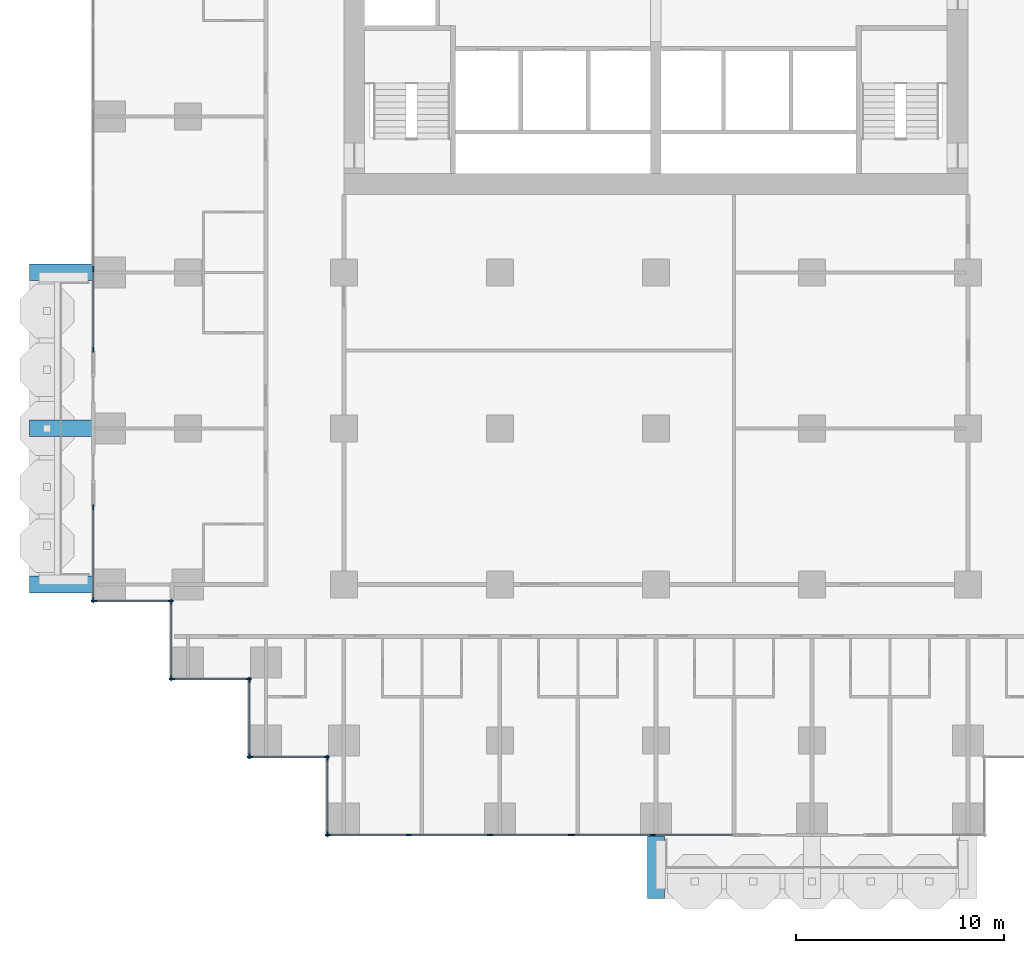
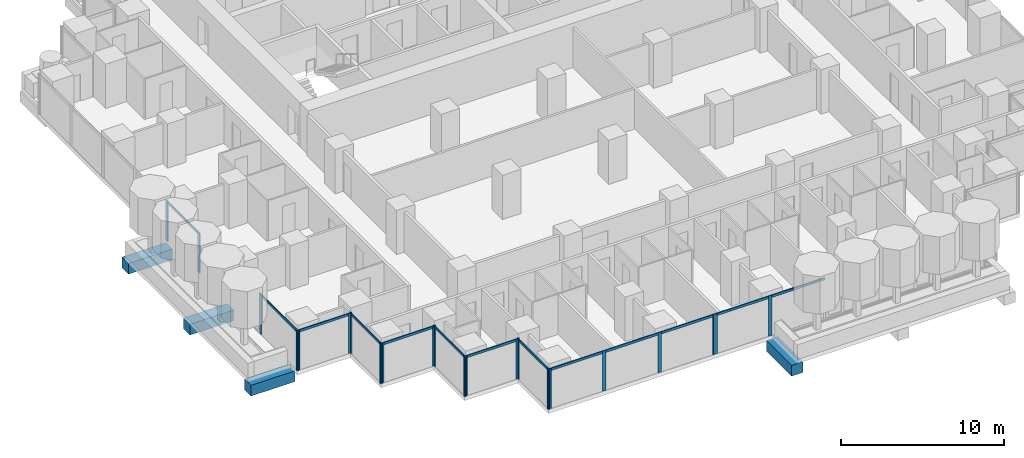
# One storey, part 2 of 19: 35 members, 4 beams, 10 elements without a shape of their own.
"""IFC4 building model written with IfcOpenShell, lengths in metres."""

from ifc_helpers import new_model, si_unit, direction, frame, origin, origin_2d, place, context, subcontext, project, spatial, rectangle, extrude, material, material_profile, profile_set, type_object, element, aggregate, save


model = new_model("IFC4")

# Units and contexts
model_context = context("Model", 3, precision=1e-05, world=origin(), true_north=direction((0.0, 1.0)))
body_context = subcontext(model_context, "Body", "Model", "MODEL_VIEW")
ifc_project = project(units=[si_unit("LENGTHUNIT", "METRE"), si_unit("AREAUNIT", "SQUARE_METRE"), si_unit("VOLUMEUNIT", "CUBIC_METRE"), si_unit("PLANEANGLEUNIT", "RADIAN"), si_unit("MASSUNIT", "GRAM", prefix="KILO")], contexts=[model_context])

# Site, building, storey
site_placement = place(None, origin())
site = spatial("IfcSite", under=ifc_project, at=site_placement, CompositionType="ELEMENT")
building_placement = place(site_placement, origin())
building = spatial("IfcBuilding", under=site, at=building_placement, Name="Pilkhan Gate Tower", CompositionType="ELEMENT")
storey_placement = place(building_placement, frame((0.0, 0.0, 72.5)))
storey = spatial("IfcBuildingStorey", under=building, at=storey_placement, Name="L16", CompositionType="ELEMENT", Elevation=72.5)

# Beams
ifc_material_1 = material(Name="Concrete C50/60", Category="concrete")
ifc_material_profile_1 = material_profile(ifc_material_1, rectangle(XDim=0.800048828125, YDim=0.800048828125, at=origin_2d()), Name="RC 800x800")
ifc_profile_set_1 = profile_set([ifc_material_profile_1], Name="Concrete C50/60")
beam_type = type_object("IfcBeamType", Name="Cantilever beam CB2 RC 800x800 C50/60", PredefinedType="BEAM", material=ifc_profile_set_1)
for number, where, z_axis, x_axis, name in (
    (1, (75.0, 40.5, -0.699951171875), (0.0, -1.0, 0.0), (1.0, 0.0, 0.0), "Balcony beam S.1 L16"),
    (2, (48.0, 52.5, -0.699951171875), (-1.0, 0.0, 0.0), (0.0, -1.0, 0.0), "Balcony beam W.1 L16"),
    (3, (48.0, 60.0, -0.699951171875), (-1.0, 0.0, 0.0), (0.0, -1.0, 0.0), "Balcony beam W.2 L16"),
    (4, (48.0, 67.5, -0.699951171875), (-1.0, 0.0, 0.0), (0.0, -1.0, 0.0), "Balcony beam W.3 L16"),
):
    element("IfcBeam", number, at=place(storey_placement, frame(where, z_axis=z_axis, x_axis=x_axis)), inside=storey, type_object=beam_type, Name=name, PredefinedType="BEAM", context=body_context, shape_type="SweptSolid", body=[
        extrude(rectangle(XDim=0.800048828125, YDim=0.800048828125, at=origin_2d()), origin(), (0.0, 0.0, 1.0), 3.10009765625),
    ])

# Curtain wall, members
ifc_material_2 = material(Name="Pale anodised aluminium, clear low-iron double glazing", Category="aluminium")
curtain_wall_type = type_object("IfcCurtainWallType", Name="Hotel unitised curtain wall CW-H", PredefinedType="USERDEFINED", material=ifc_material_2)
curtain_wall_1_placement = place(storey_placement, origin())
curtain_wall_1 = element("IfcCurtainWall", 5, at=curtain_wall_1_placement, inside=storey, type_object=curtain_wall_type, Name="Hotel unitised curtain wall CW-H L16 W", ObjectType="UNITISED CURTAIN WALL", PredefinedType="USERDEFINED")
ifc_material_3 = material(Name="Pale anodised aluminium", Category="aluminium")
ifc_material_profile_2 = material_profile(ifc_material_3, rectangle(XDim=0.06494140625, YDim=0.25, at=origin_2d()), Name="Mullion 250x65")
ifc_profile_set_2 = profile_set([ifc_material_profile_2], Name="Pale anodised aluminium")
member_type_1 = type_object("IfcMemberType", Name="Mullion CW-H 250x65", PredefinedType="MULLION", material=ifc_profile_set_2)
member_1_placement = place(storey_placement, frame((47.955078125, 51.737548828125, 0.0), z_axis=(0.0, 0.0, 1.0), x_axis=(-1.0, 0.0, 0.0)))
member_1 = element("IfcMember", 6, at=member_1_placement, type_object=member_type_1, Name="CW-H mullion 1", PredefinedType="MULLION", context=body_context, shape_type="SweptSolid", body=[
    extrude(rectangle(XDim=0.06494140625, YDim=0.25, at=origin_2d()), origin(), (0.0, 0.0, 1.0), 3.0),
])
member_2_placement = place(storey_placement, frame((47.955078125, 56.217529296875, 0.0), z_axis=(0.0, 0.0, 1.0), x_axis=(-1.0, 0.0, 0.0)))
member_2 = element("IfcMember", 7, at=member_2_placement, type_object=member_type_1, Name="CW-H mullion 2", PredefinedType="MULLION", context=body_context, shape_type="SweptSolid", body=[
    extrude(rectangle(XDim=0.06494140625, YDim=0.25, at=origin_2d()), origin(), (0.0, 0.0, 1.0), 3.0),
])

curtain_wall_2_placement = place(storey_placement, origin())
curtain_wall_2 = element("IfcCurtainWall", 8, at=curtain_wall_2_placement, inside=storey, type_object=curtain_wall_type, Name="Hotel unitised curtain wall CW-H L16 W", ObjectType="UNITISED CURTAIN WALL", PredefinedType="USERDEFINED")
member_3_placement = place(storey_placement, frame((47.955078125, 63.782470703125, 0.0), z_axis=(0.0, 0.0, 1.0), x_axis=(-1.0, 0.0, 0.0)))
member_3 = element("IfcMember", 9, at=member_3_placement, type_object=member_type_1, Name="CW-H mullion 1", PredefinedType="MULLION", context=body_context, shape_type="SweptSolid", body=[
    extrude(rectangle(XDim=0.06494140625, YDim=0.25, at=origin_2d()), origin(), (0.0, 0.0, 1.0), 3.0),
])
member_4_placement = place(storey_placement, frame((47.955078125, 67.658935546875, 0.0), z_axis=(0.0, 0.0, 1.0), x_axis=(-1.0, 0.0, 0.0)))
member_4 = element("IfcMember", 10, at=member_4_placement, type_object=member_type_1, Name="CW-H mullion 2", PredefinedType="MULLION", context=body_context, shape_type="SweptSolid", body=[
    extrude(rectangle(XDim=0.06494140625, YDim=0.25, at=origin_2d()), origin(), (0.0, 0.0, 1.0), 3.0),
])

curtain_wall_3_placement = place(storey_placement, origin())
curtain_wall_3 = element("IfcCurtainWall", 11, at=curtain_wall_3_placement, inside=storey, type_object=curtain_wall_type, Name="Hotel unitised curtain wall CW-H L16 S", ObjectType="UNITISED CURTAIN WALL", PredefinedType="USERDEFINED")
member_5_placement = place(storey_placement, frame((47.987548828125, 51.705078125, 0.0), z_axis=(0.0, 0.0, 1.0), x_axis=(0.0, 1.0, 0.0)))
member_5 = element("IfcMember", 12, at=member_5_placement, type_object=member_type_1, Name="CW-H mullion 1", PredefinedType="MULLION", context=body_context, shape_type="SweptSolid", body=[
    extrude(rectangle(XDim=0.06494140625, YDim=0.25, at=origin_2d()), origin(), (0.0, 0.0, 1.0), 3.0),
])
member_6_placement = place(storey_placement, frame((51.672607421875, 51.705078125, 0.0), z_axis=(0.0, 0.0, 1.0), x_axis=(0.0, 1.0, 0.0)))
member_6 = element("IfcMember", 13, at=member_6_placement, type_object=member_type_1, Name="CW-H mullion 2", PredefinedType="MULLION", context=body_context, shape_type="SweptSolid", body=[
    extrude(rectangle(XDim=0.06494140625, YDim=0.25, at=origin_2d()), origin(), (0.0, 0.0, 1.0), 3.0),
])

curtain_wall_4_placement = place(storey_placement, origin())
curtain_wall_4 = element("IfcCurtainWall", 14, at=curtain_wall_4_placement, inside=storey, type_object=curtain_wall_type, Name="Hotel unitised curtain wall CW-H L16 W", ObjectType="UNITISED CURTAIN WALL", PredefinedType="USERDEFINED")
member_7_placement = place(storey_placement, frame((51.705078125, 47.987548828125, 0.0), z_axis=(0.0, 0.0, 1.0), x_axis=(-1.0, 0.0, 0.0)))
member_7 = element("IfcMember", 15, at=member_7_placement, type_object=member_type_1, Name="CW-H mullion 1", PredefinedType="MULLION", context=body_context, shape_type="SweptSolid", body=[
    extrude(rectangle(XDim=0.06494140625, YDim=0.25, at=origin_2d()), origin(), (0.0, 0.0, 1.0), 3.0),
])
member_8_placement = place(storey_placement, frame((51.705078125, 51.672607421875, 0.0), z_axis=(0.0, 0.0, 1.0), x_axis=(-1.0, 0.0, 0.0)))
member_8 = element("IfcMember", 16, at=member_8_placement, type_object=member_type_1, Name="CW-H mullion 2", PredefinedType="MULLION", context=body_context, shape_type="SweptSolid", body=[
    extrude(rectangle(XDim=0.06494140625, YDim=0.25, at=origin_2d()), origin(), (0.0, 0.0, 1.0), 3.0),
])

curtain_wall_5_placement = place(storey_placement, origin())
curtain_wall_5 = element("IfcCurtainWall", 17, at=curtain_wall_5_placement, inside=storey, type_object=curtain_wall_type, Name="Hotel unitised curtain wall CW-H L16 S", ObjectType="UNITISED CURTAIN WALL", PredefinedType="USERDEFINED")
member_9_placement = place(storey_placement, frame((51.737548828125, 47.955078125, 0.0), z_axis=(0.0, 0.0, 1.0), x_axis=(0.0, 1.0, 0.0)))
member_9 = element("IfcMember", 18, at=member_9_placement, type_object=member_type_1, Name="CW-H mullion 1", PredefinedType="MULLION", context=body_context, shape_type="SweptSolid", body=[
    extrude(rectangle(XDim=0.06494140625, YDim=0.25, at=origin_2d()), origin(), (0.0, 0.0, 1.0), 3.0),
])
member_10_placement = place(storey_placement, frame((55.422607421875, 47.955078125, 0.0), z_axis=(0.0, 0.0, 1.0), x_axis=(0.0, 1.0, 0.0)))
member_10 = element("IfcMember", 19, at=member_10_placement, type_object=member_type_1, Name="CW-H mullion 2", PredefinedType="MULLION", context=body_context, shape_type="SweptSolid", body=[
    extrude(rectangle(XDim=0.06494140625, YDim=0.25, at=origin_2d()), origin(), (0.0, 0.0, 1.0), 3.0),
])

curtain_wall_6_placement = place(storey_placement, origin())
curtain_wall_6 = element("IfcCurtainWall", 20, at=curtain_wall_6_placement, inside=storey, type_object=curtain_wall_type, Name="Hotel unitised curtain wall CW-H L16 W", ObjectType="UNITISED CURTAIN WALL", PredefinedType="USERDEFINED")
member_11_placement = place(storey_placement, frame((55.455078125, 44.237548828125, 0.0), z_axis=(0.0, 0.0, 1.0), x_axis=(-1.0, 0.0, 0.0)))
member_11 = element("IfcMember", 21, at=member_11_placement, type_object=member_type_1, Name="CW-H mullion 1", PredefinedType="MULLION", context=body_context, shape_type="SweptSolid", body=[
    extrude(rectangle(XDim=0.06494140625, YDim=0.25, at=origin_2d()), origin(), (0.0, 0.0, 1.0), 3.0),
])
member_12_placement = place(storey_placement, frame((55.455078125, 47.922607421875, 0.0), z_axis=(0.0, 0.0, 1.0), x_axis=(-1.0, 0.0, 0.0)))
member_12 = element("IfcMember", 22, at=member_12_placement, type_object=member_type_1, Name="CW-H mullion 2", PredefinedType="MULLION", context=body_context, shape_type="SweptSolid", body=[
    extrude(rectangle(XDim=0.06494140625, YDim=0.25, at=origin_2d()), origin(), (0.0, 0.0, 1.0), 3.0),
])

curtain_wall_7_placement = place(storey_placement, origin())
curtain_wall_7 = element("IfcCurtainWall", 23, at=curtain_wall_7_placement, inside=storey, type_object=curtain_wall_type, Name="Hotel unitised curtain wall CW-H L16 S", ObjectType="UNITISED CURTAIN WALL", PredefinedType="USERDEFINED")
member_13_placement = place(storey_placement, frame((55.487548828125, 44.205078125, 0.0), z_axis=(0.0, 0.0, 1.0), x_axis=(0.0, 1.0, 0.0)))
member_13 = element("IfcMember", 24, at=member_13_placement, type_object=member_type_1, Name="CW-H mullion 1", PredefinedType="MULLION", context=body_context, shape_type="SweptSolid", body=[
    extrude(rectangle(XDim=0.06494140625, YDim=0.25, at=origin_2d()), origin(), (0.0, 0.0, 1.0), 3.0),
])
member_14_placement = place(storey_placement, frame((59.172607421875, 44.205078125, 0.0), z_axis=(0.0, 0.0, 1.0), x_axis=(0.0, 1.0, 0.0)))
member_14 = element("IfcMember", 25, at=member_14_placement, type_object=member_type_1, Name="CW-H mullion 2", PredefinedType="MULLION", context=body_context, shape_type="SweptSolid", body=[
    extrude(rectangle(XDim=0.06494140625, YDim=0.25, at=origin_2d()), origin(), (0.0, 0.0, 1.0), 3.0),
])

curtain_wall_8_placement = place(storey_placement, origin())
curtain_wall_8 = element("IfcCurtainWall", 26, at=curtain_wall_8_placement, inside=storey, type_object=curtain_wall_type, Name="Hotel unitised curtain wall CW-H L16 W", ObjectType="UNITISED CURTAIN WALL", PredefinedType="USERDEFINED")
member_15_placement = place(storey_placement, frame((59.205078125, 40.487548828125, 0.0), z_axis=(0.0, 0.0, 1.0), x_axis=(-1.0, 0.0, 0.0)))
member_15 = element("IfcMember", 27, at=member_15_placement, type_object=member_type_1, Name="CW-H mullion 1", PredefinedType="MULLION", context=body_context, shape_type="SweptSolid", body=[
    extrude(rectangle(XDim=0.06494140625, YDim=0.25, at=origin_2d()), origin(), (0.0, 0.0, 1.0), 3.0),
])
member_16_placement = place(storey_placement, frame((59.205078125, 44.172607421875, 0.0), z_axis=(0.0, 0.0, 1.0), x_axis=(-1.0, 0.0, 0.0)))
member_16 = element("IfcMember", 28, at=member_16_placement, type_object=member_type_1, Name="CW-H mullion 2", PredefinedType="MULLION", context=body_context, shape_type="SweptSolid", body=[
    extrude(rectangle(XDim=0.06494140625, YDim=0.25, at=origin_2d()), origin(), (0.0, 0.0, 1.0), 3.0),
])

curtain_wall_9_placement = place(storey_placement, origin())
curtain_wall_9 = element("IfcCurtainWall", 29, at=curtain_wall_9_placement, inside=storey, type_object=curtain_wall_type, Name="Hotel unitised curtain wall CW-H L16 S", ObjectType="UNITISED CURTAIN WALL", PredefinedType="USERDEFINED")
member_17_placement = place(storey_placement, frame((59.237548828125, 40.455078125, 0.0), z_axis=(0.0, 0.0, 1.0), x_axis=(0.0, 1.0, 0.0)))
member_17 = element("IfcMember", 30, at=member_17_placement, type_object=member_type_1, Name="CW-H mullion 1", PredefinedType="MULLION", context=body_context, shape_type="SweptSolid", body=[
    extrude(rectangle(XDim=0.06494140625, YDim=0.25, at=origin_2d()), origin(), (0.0, 0.0, 1.0), 3.0),
])
member_18_placement = place(storey_placement, frame((63.114013671875, 40.455078125, 0.0), z_axis=(0.0, 0.0, 1.0), x_axis=(0.0, 1.0, 0.0)))
member_18 = element("IfcMember", 31, at=member_18_placement, type_object=member_type_1, Name="CW-H mullion 2", PredefinedType="MULLION", context=body_context, shape_type="SweptSolid", body=[
    extrude(rectangle(XDim=0.06494140625, YDim=0.25, at=origin_2d()), origin(), (0.0, 0.0, 1.0), 3.0),
])
member_19_placement = place(storey_placement, frame((67.02294921875, 40.455078125, 0.0), z_axis=(0.0, 0.0, 1.0), x_axis=(0.0, 1.0, 0.0)))
member_19 = element("IfcMember", 32, at=member_19_placement, type_object=member_type_1, Name="CW-H mullion 3", PredefinedType="MULLION", context=body_context, shape_type="SweptSolid", body=[
    extrude(rectangle(XDim=0.06494140625, YDim=0.25, at=origin_2d()), origin(), (0.0, 0.0, 1.0), 3.0),
])
member_20_placement = place(storey_placement, frame((70.8994140625, 40.455078125, 0.0), z_axis=(0.0, 0.0, 1.0), x_axis=(0.0, 1.0, 0.0)))
member_20 = element("IfcMember", 33, at=member_20_placement, type_object=member_type_1, Name="CW-H mullion 4", PredefinedType="MULLION", context=body_context, shape_type="SweptSolid", body=[
    extrude(rectangle(XDim=0.06494140625, YDim=0.25, at=origin_2d()), origin(), (0.0, 0.0, 1.0), 3.0),
])

curtain_wall_10_placement = place(storey_placement, origin())
curtain_wall_10 = element("IfcCurtainWall", 34, at=curtain_wall_10_placement, inside=storey, type_object=curtain_wall_type, Name="Hotel unitised curtain wall CW-H L16 S", ObjectType="UNITISED CURTAIN WALL", PredefinedType="USERDEFINED")
member_21_placement = place(storey_placement, frame((70.964599609375, 40.455078125, 0.0), z_axis=(0.0, 0.0, 1.0), x_axis=(0.0, 1.0, 0.0)))
member_21 = element("IfcMember", 35, at=member_21_placement, type_object=member_type_1, Name="CW-H mullion 1", PredefinedType="MULLION", context=body_context, shape_type="SweptSolid", body=[
    extrude(rectangle(XDim=0.06494140625, YDim=0.25, at=origin_2d()), origin(), (0.0, 0.0, 1.0), 3.0),
])
member_22_placement = place(storey_placement, frame((74.841064453125, 40.455078125, 0.0), z_axis=(0.0, 0.0, 1.0), x_axis=(0.0, 1.0, 0.0)))
member_22 = element("IfcMember", 36, at=member_22_placement, type_object=member_type_1, Name="CW-H mullion 2", PredefinedType="MULLION", context=body_context, shape_type="SweptSolid", body=[
    extrude(rectangle(XDim=0.06494140625, YDim=0.25, at=origin_2d()), origin(), (0.0, 0.0, 1.0), 3.0),
])

# Member
ifc_material_profile_3 = material_profile(ifc_material_3, rectangle(XDim=0.06494140625, YDim=0.179931640625, at=origin_2d()), Name="Transom 180x65")
ifc_profile_set_3 = profile_set([ifc_material_profile_3], Name="Pale anodised aluminium")
member_type_2 = type_object("IfcMemberType", Name="Transom CW-H 180x65", PredefinedType="USERDEFINED", material=ifc_profile_set_3)
member_23_placement = place(storey_placement, frame((47.955078125, 51.77001953125, 2.909912109375), z_axis=(0.0, 1.0, 0.0), x_axis=(-1.0, 0.0, 0.0)))
member_23 = element("IfcMember", 37, at=member_23_placement, type_object=member_type_2, Name="CW-H transom 1", ObjectType="TRANSOM", PredefinedType="USERDEFINED", context=body_context, shape_type="SweptSolid", body=[
    extrude(rectangle(XDim=0.06494140625, YDim=0.179931640625, at=origin_2d()), origin(), (0.0, 0.0, 1.0), 4.4150390625),
])

aggregate(curtain_wall_1, [member_1, member_2, member_23])

member_24_placement = place(storey_placement, frame((47.955078125, 63.81494140625, 2.909912109375), z_axis=(0.0, 1.0, 0.0), x_axis=(-1.0, 0.0, 0.0)))
member_24 = element("IfcMember", 38, at=member_24_placement, type_object=member_type_2, Name="CW-H transom 1", ObjectType="TRANSOM", PredefinedType="USERDEFINED", context=body_context, shape_type="SweptSolid", body=[
    extrude(rectangle(XDim=0.06494140625, YDim=0.179931640625, at=origin_2d()), origin(), (0.0, 0.0, 1.0), 3.8115234375),
])

aggregate(curtain_wall_2, [member_3, member_4, member_24])

member_25_placement = place(storey_placement, frame((48.02001953125, 51.705078125, 2.909912109375), z_axis=(1.0, 0.0, 0.0), x_axis=(0.0, 1.0, 0.0)))
member_25 = element("IfcMember", 39, at=member_25_placement, type_object=member_type_2, Name="CW-H transom 1", ObjectType="TRANSOM", PredefinedType="USERDEFINED", context=body_context, shape_type="SweptSolid", body=[
    extrude(rectangle(XDim=0.06494140625, YDim=0.179931640625, at=origin_2d()), origin(), (0.0, 0.0, 1.0), 3.619873046875),
])

aggregate(curtain_wall_3, [member_5, member_6, member_25])

member_26_placement = place(storey_placement, frame((51.705078125, 48.02001953125, 2.909912109375), z_axis=(0.0, 1.0, 0.0), x_axis=(-1.0, 0.0, 0.0)))
member_26 = element("IfcMember", 40, at=member_26_placement, type_object=member_type_2, Name="CW-H transom 1", ObjectType="TRANSOM", PredefinedType="USERDEFINED", context=body_context, shape_type="SweptSolid", body=[
    extrude(rectangle(XDim=0.06494140625, YDim=0.179931640625, at=origin_2d()), origin(), (0.0, 0.0, 1.0), 3.619873046875),
])

aggregate(curtain_wall_4, [member_7, member_8, member_26])

member_27_placement = place(storey_placement, frame((51.77001953125, 47.955078125, 2.909912109375), z_axis=(1.0, 0.0, 0.0), x_axis=(0.0, 1.0, 0.0)))
member_27 = element("IfcMember", 41, at=member_27_placement, type_object=member_type_2, Name="CW-H transom 1", ObjectType="TRANSOM", PredefinedType="USERDEFINED", context=body_context, shape_type="SweptSolid", body=[
    extrude(rectangle(XDim=0.06494140625, YDim=0.179931640625, at=origin_2d()), origin(), (0.0, 0.0, 1.0), 3.619873046875),
])

aggregate(curtain_wall_5, [member_9, member_10, member_27])

member_28_placement = place(storey_placement, frame((55.455078125, 44.27001953125, 2.909912109375), z_axis=(0.0, 1.0, 0.0), x_axis=(-1.0, 0.0, 0.0)))
member_28 = element("IfcMember", 42, at=member_28_placement, type_object=member_type_2, Name="CW-H transom 1", ObjectType="TRANSOM", PredefinedType="USERDEFINED", context=body_context, shape_type="SweptSolid", body=[
    extrude(rectangle(XDim=0.06494140625, YDim=0.179931640625, at=origin_2d()), origin(), (0.0, 0.0, 1.0), 3.619873046875),
])

aggregate(curtain_wall_6, [member_11, member_12, member_28])

member_29_placement = place(storey_placement, frame((55.52001953125, 44.205078125, 2.909912109375), z_axis=(1.0, 0.0, 0.0), x_axis=(0.0, 1.0, 0.0)))
member_29 = element("IfcMember", 43, at=member_29_placement, type_object=member_type_2, Name="CW-H transom 1", ObjectType="TRANSOM", PredefinedType="USERDEFINED", context=body_context, shape_type="SweptSolid", body=[
    extrude(rectangle(XDim=0.06494140625, YDim=0.179931640625, at=origin_2d()), origin(), (0.0, 0.0, 1.0), 3.619873046875),
])

aggregate(curtain_wall_7, [member_13, member_14, member_29])

member_30_placement = place(storey_placement, frame((59.205078125, 40.52001953125, 2.909912109375), z_axis=(0.0, 1.0, 0.0), x_axis=(-1.0, 0.0, 0.0)))
member_30 = element("IfcMember", 44, at=member_30_placement, type_object=member_type_2, Name="CW-H transom 1", ObjectType="TRANSOM", PredefinedType="USERDEFINED", context=body_context, shape_type="SweptSolid", body=[
    extrude(rectangle(XDim=0.06494140625, YDim=0.179931640625, at=origin_2d()), origin(), (0.0, 0.0, 1.0), 3.619873046875),
])

aggregate(curtain_wall_8, [member_15, member_16, member_30])

member_31_placement = place(storey_placement, frame((59.27001953125, 40.455078125, 2.909912109375), z_axis=(1.0, 0.0, 0.0), x_axis=(0.0, 1.0, 0.0)))
member_31 = element("IfcMember", 45, at=member_31_placement, type_object=member_type_2, Name="CW-H transom 1", ObjectType="TRANSOM", PredefinedType="USERDEFINED", context=body_context, shape_type="SweptSolid", body=[
    extrude(rectangle(XDim=0.06494140625, YDim=0.179931640625, at=origin_2d()), origin(), (0.0, 0.0, 1.0), 3.8115234375),
])

member_32_placement = place(storey_placement, frame((63.146484375, 40.455078125, 2.909912109375), z_axis=(1.0, 0.0, 0.0), x_axis=(0.0, 1.0, 0.0)))
member_32 = element("IfcMember", 46, at=member_32_placement, type_object=member_type_2, Name="CW-H transom 2", ObjectType="TRANSOM", PredefinedType="USERDEFINED", context=body_context, shape_type="SweptSolid", body=[
    extrude(rectangle(XDim=0.06494140625, YDim=0.179931640625, at=origin_2d()), origin(), (0.0, 0.0, 1.0), 3.843994140625),
])

member_33_placement = place(storey_placement, frame((67.055419921875, 40.455078125, 2.909912109375), z_axis=(1.0, 0.0, 0.0), x_axis=(0.0, 1.0, 0.0)))
member_33 = element("IfcMember", 47, at=member_33_placement, type_object=member_type_2, Name="CW-H transom 3", ObjectType="TRANSOM", PredefinedType="USERDEFINED", context=body_context, shape_type="SweptSolid", body=[
    extrude(rectangle(XDim=0.06494140625, YDim=0.179931640625, at=origin_2d()), origin(), (0.0, 0.0, 1.0), 3.8115234375),
])

aggregate(curtain_wall_9, [member_17, member_18, member_19, member_20, member_31, member_32, member_33])

member_34_placement = place(storey_placement, frame((70.9970703125, 40.455078125, 2.909912109375), z_axis=(1.0, 0.0, 0.0), x_axis=(0.0, 1.0, 0.0)))
member_34 = element("IfcMember", 48, at=member_34_placement, type_object=member_type_2, Name="CW-H transom 1", ObjectType="TRANSOM", PredefinedType="USERDEFINED", context=body_context, shape_type="SweptSolid", body=[
    extrude(rectangle(XDim=0.06494140625, YDim=0.179931640625, at=origin_2d()), origin(), (0.0, 0.0, 1.0), 3.8115234375),
])

member_35_placement = place(storey_placement, frame((74.87353515625, 40.455078125, 2.909912109375), z_axis=(1.0, 0.0, 0.0), x_axis=(0.0, 1.0, 0.0)))
member_35 = element("IfcMember", 49, at=member_35_placement, type_object=member_type_2, Name="CW-H transom 2", ObjectType="TRANSOM", PredefinedType="USERDEFINED", context=body_context, shape_type="SweptSolid", body=[
    extrude(rectangle(XDim=0.06494140625, YDim=0.179931640625, at=origin_2d()), origin(), (0.0, 0.0, 1.0), 3.8115234375),
])

aggregate(curtain_wall_10, [member_21, member_22, member_34, member_35])

save(model, "model.ifc")
